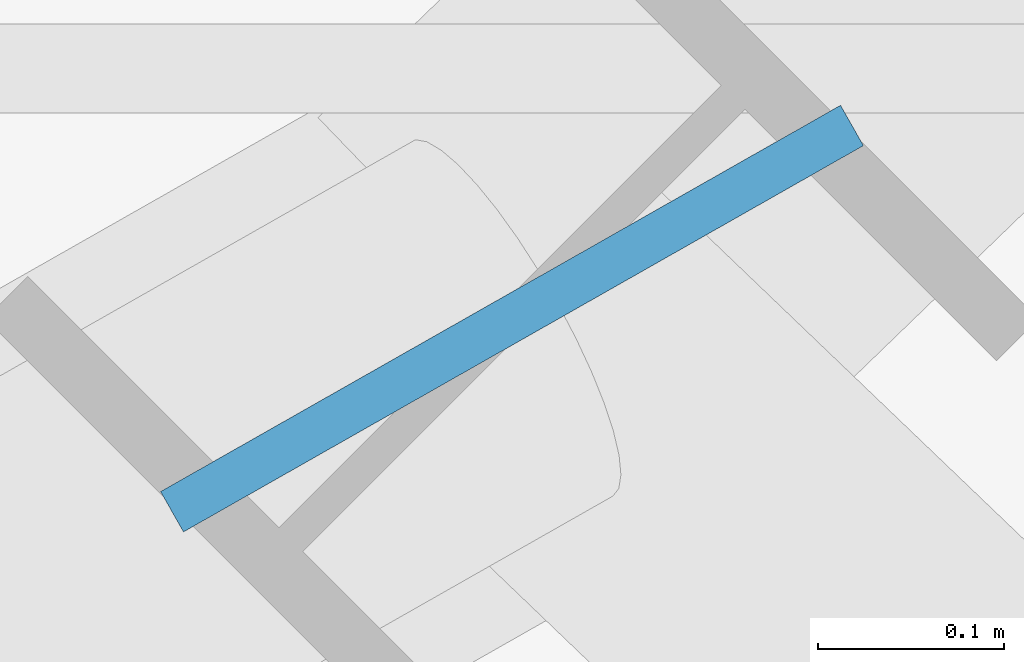
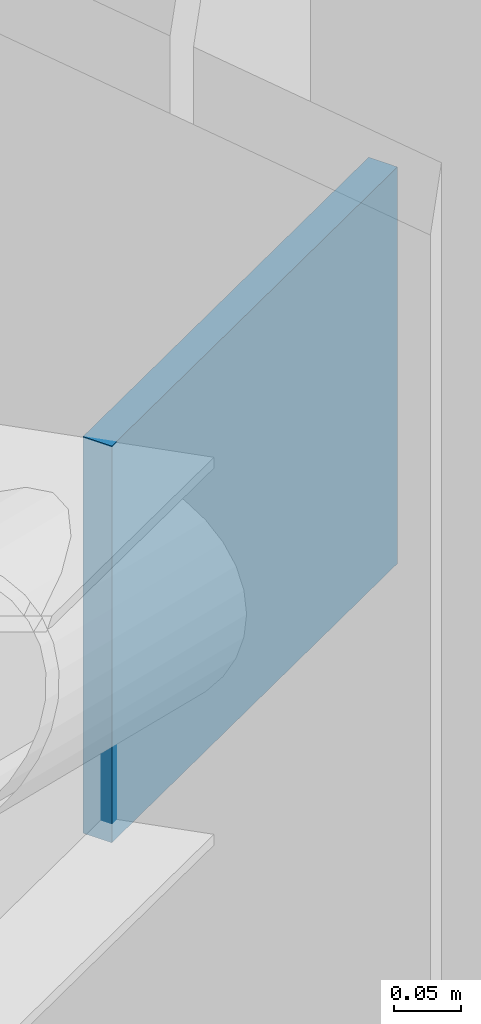
# One storey, part 83 of 123: 1 plate.
"""IFC4 building model written with IfcOpenShell, lengths in metres."""

import ifcopenshell
import ifcopenshell.guid

model = None  # the IFC model being written
_history = None  # IfcOwnerHistory: only IFC2X3 demands one
_inside = {}  # id of a spatial element -> (the spatial element, [elements in it])
_under = {}  # id of a project, library or spatial element -> (it, [spatial elements below it])
_declared = {}  # id of a project -> (the project, [libraries it declares])
_typed = {}  # id of a type object -> (the type object, [elements of that type])
_made_of = {}  # id of a material, layer set ... -> (it, [elements and type objects made of it])


def new_model(schema):
    """Start an empty IFC model of exactly this schema.

    Asked for "IFC4X3", IfcOpenShell would pick the latest addendum, in which some entities
    have other attributes; the version numbers below select the first issue.
    IFC2X3 requires an IfcOwnerHistory on every rooted entity: one is made here for all.
    """
    global model, _history
    if schema == "IFC4X3":
        model = ifcopenshell.file(schema_version=(4, 3, 0, 0))
    else:
        model = ifcopenshell.file(schema=schema)
    _inside.clear()
    _under.clear()
    _declared.clear()
    _typed.clear()
    _made_of.clear()
    _history = None
    if model.schema == "IFC2X3":
        org = make("IfcOrganization", Name="unknown")
        user = make(
            "IfcPersonAndOrganization",
            ThePerson=make("IfcPerson", FamilyName="unknown"),
            TheOrganization=org,
        )
        app = make(
            "IfcApplication",
            ApplicationDeveloper=org,
            Version="unknown",
            ApplicationFullName="unknown",
            ApplicationIdentifier="unknown",
        )
        _history = make(
            "IfcOwnerHistory",
            OwningUser=user,
            OwningApplication=app,
            ChangeAction="ADDED",
            CreationDate=0,
        )
    return model


def make(cls, **values):
    """One entity of the class cls with the attributes given. An attribute that is None is left unset."""
    return model.create_entity(
        cls, **{name: value for name, value in values.items() if value is not None}
    )


def rooted(cls, **values):
    """An entity with a GlobalId (a new one), such as an element, a storey or a relation."""
    return make(cls, GlobalId=ifcopenshell.guid.new(), OwnerHistory=_history, **values)


def si_unit(unit_type, name, prefix=None):
    """IfcSIUnit, for example si_unit("LENGTHUNIT", "METRE", prefix="MILLI")."""
    return make("IfcSIUnit", UnitType=unit_type, Prefix=prefix, Name=name)


def assignment(units):
    """IfcUnitAssignment: the units of a project."""
    return None if units is None else make("IfcUnitAssignment", Units=units)


def point(xyz):
    """IfcCartesianPoint."""
    return None if xyz is None else make("IfcCartesianPoint", Coordinates=xyz)


def direction(xyz):
    """IfcDirection."""
    return None if xyz is None else make("IfcDirection", DirectionRatios=xyz)


def frame(location, z_axis=None, x_axis=None):
    """IfcAxis2Placement3D, a coordinate frame: its origin and axes. An axis left out is left unset."""
    return make(
        "IfcAxis2Placement3D",
        Location=point(location),
        Axis=direction(z_axis),
        RefDirection=direction(x_axis),
    )


def frame_2d(location, x_axis=None):
    """IfcAxis2Placement2D, a coordinate frame in the plane: its origin and x axis."""
    return make(
        "IfcAxis2Placement2D", Location=point(location), RefDirection=direction(x_axis)
    )


def origin():
    """The frame at (0, 0, 0) with its axes left unset."""
    return frame((0.0, 0.0, 0.0))


def origin_2d():
    """The frame at (0, 0) in the plane with its x axis left unset."""
    return frame_2d((0.0, 0.0))


def place(relative_to, where):
    """IfcLocalPlacement: puts the frame where relative to a parent placement (None: the world)."""
    return make(
        "IfcLocalPlacement", PlacementRelTo=relative_to, RelativePlacement=where
    )


def context(
    kind, dimensions, precision=None, world=None, true_north=None, identifier=None
):
    """IfcGeometricRepresentationContext, for example the 3D "Model" context."""
    return make(
        "IfcGeometricRepresentationContext",
        ContextIdentifier=identifier,
        ContextType=kind,
        CoordinateSpaceDimension=dimensions,
        Precision=precision,
        WorldCoordinateSystem=world,
        TrueNorth=true_north,
    )


def subcontext(parent, identifier, kind, view, scale=None):
    """IfcGeometricRepresentationSubContext, for example "Body" below "Model"."""
    return make(
        "IfcGeometricRepresentationSubContext",
        ContextIdentifier=identifier,
        ContextType=kind,
        ParentContext=parent,
        TargetScale=scale,
        TargetView=view,
    )


def project(units=None, contexts=None):
    """IfcProject with its units and contexts."""
    return rooted(
        "IfcProject",
        Name="project",
        RepresentationContexts=contexts,
        UnitsInContext=assignment(units),
    )


def spatial(cls, under=None, at=None, **own):
    """A site, building, storey or space (cls), placed at a placement, below another one or the project."""
    s = rooted(cls, ObjectPlacement=at, **own)
    if under is not None:
        _under.setdefault(under.id(), (under, []))[1].append(s)
    return s


def profile(cls, at=None, kind="AREA", **sizes):
    """A parametric profile (cls). Its sizes go by their IFC names, for example OverallWidth=200.0."""
    return make(cls, ProfileType=kind, Position=at, **sizes)


def rectangle(**sizes):
    """IfcRectangleProfileDef."""
    return profile("IfcRectangleProfileDef", **sizes)


def extrude(swept, where, along, depth):
    """IfcExtrudedAreaSolid: the profile swept, set in the frame where, extruded along a direction by depth."""
    return make(
        "IfcExtrudedAreaSolid",
        SweptArea=swept,
        Position=where,
        ExtrudedDirection=direction(along),
        Depth=depth,
    )


def shape(context_of_items, identifier, shape_type, items):
    """IfcShapeRepresentation: the items that make up one representation, for example the "Body"."""
    return make(
        "IfcShapeRepresentation",
        ContextOfItems=context_of_items,
        RepresentationIdentifier=identifier,
        RepresentationType=shape_type,
        Items=items,
    )


def material(Name=None, Category=None):
    """IfcMaterial."""
    return make("IfcMaterial", Name=Name, Category=Category)


def layer(
    of_material, thickness, ventilated=None, Name=None, Category=None, Priority=None
):
    """IfcMaterialLayer: one layer of a wall or slab, of a material (None: an air gap)."""
    return make(
        "IfcMaterialLayer",
        Material=of_material,
        LayerThickness=thickness,
        IsVentilated=ventilated,
        Name=Name,
        Category=Category,
        Priority=Priority,
    )


def layer_set(layers, Name=None):
    """IfcMaterialLayerSet."""
    return make("IfcMaterialLayerSet", MaterialLayers=layers, LayerSetName=Name)


def made_of(thing, what):
    """Note that an element or type object is made of a material, layer set ...; save() writes the relation."""
    if what is not None:
        _made_of.setdefault(what.id(), (what, []))[1].append(thing)
    return thing


def type_object(cls, material=None, **own):
    """A type object (cls), such as IfcWallType, which elements share."""
    return made_of(rooted(cls, **own), material)


def element(
    cls,
    number,
    at=None,
    inside=None,
    cuts=None,
    type_object=None,
    material=None,
    context=None,
    identifier="Body",
    shape_type=None,
    held_by="IfcProductDefinitionShape",
    body=None,
    shapes=None,
    **own,
):
    """One element of the class cls, such as IfcWall. Its Tag is "e" and its number.

    at: its placement. inside: the storey or other place that contains it. cuts: it is an
    opening in that element (IfcRelVoidsElement). A single representation is given by context,
    identifier, shape_type and body (its items); several are given by shapes. held_by: the class
    of the entity that holds the representations. save() writes the other relations.
    """
    e = rooted(cls, Tag="e%d" % number, ObjectPlacement=at, **own)
    if body is not None:
        shapes = [shape(context, identifier, shape_type, body)]
    if shapes is not None:
        e.Representation = make(held_by, Representations=shapes)
    if inside is not None:
        _inside.setdefault(inside.id(), (inside, []))[1].append(e)
    if cuts is not None:
        rooted(
            "IfcRelVoidsElement", RelatingBuildingElement=cuts, RelatedOpeningElement=e
        )
    if type_object is not None:
        _typed.setdefault(type_object.id(), (type_object, []))[1].append(e)
    return made_of(e, material)


def aggregate(whole, parts):
    """IfcRelAggregates: a whole, such as a stair, and the parts it consists of."""
    return rooted("IfcRelAggregates", RelatingObject=whole, RelatedObjects=parts)


def save(model, path):
    """Write the relations noted so far, then the file.

    IfcRelAggregates (storeys below a building ...), IfcRelContainedInSpatialStructure (elements
    in a storey), IfcRelDefinesByType, IfcRelAssociatesMaterial and IfcRelDeclares: one each for
    every whole, place, type object, material and project.
    """
    for whole, parts in _under.values():
        aggregate(whole, parts)
    for where, things in _inside.values():
        rooted(
            "IfcRelContainedInSpatialStructure",
            RelatedElements=things,
            RelatingStructure=where,
        )
    for kind, things in _typed.values():
        rooted("IfcRelDefinesByType", RelatedObjects=things, RelatingType=kind)
    for what, things in _made_of.values():
        rooted("IfcRelAssociatesMaterial", RelatedObjects=things, RelatingMaterial=what)
    for by, libraries in _declared.values():
        rooted("IfcRelDeclares", RelatingContext=by, RelatedDefinitions=libraries)
    model.write(path)


model = new_model("IFC4")

# Units and contexts
model_context = context("Model", 3, precision=1e-05, world=origin(), true_north=direction((0.0, 1.0)))
body_context = subcontext(model_context, "Body", "Model", "MODEL_VIEW")
ifc_project = project(units=[si_unit("LENGTHUNIT", "METRE"), si_unit("AREAUNIT", "SQUARE_METRE"), si_unit("VOLUMEUNIT", "CUBIC_METRE"), si_unit("PLANEANGLEUNIT", "RADIAN"), si_unit("MASSUNIT", "GRAM", prefix="KILO")], contexts=[model_context])

# Site, building, storey
site_placement = place(None, origin())
site = spatial("IfcSite", under=ifc_project, at=site_placement, CompositionType="ELEMENT")
building_placement = place(site_placement, origin())
building = spatial("IfcBuilding", under=site, at=building_placement, Name="Kalgoora Escarpment Arena", CompositionType="ELEMENT")
storey_placement = place(building_placement, frame((0.0, 0.0, 9.89990234375)))
storey = spatial("IfcBuildingStorey", under=building, at=storey_placement, Name="L02", CompositionType="ELEMENT", Elevation=9.89990234375)

# Plate
ifc_material = material(Name="Structural steel Grade 350 (350 MPa)", Category="steel")
ifc_layer = layer(ifc_material, 0.02490234375)
ifc_layer_set = layer_set([ifc_layer], Name="PLT-GUSSET-25")
plate_type = type_object("IfcPlateType", Name="PLT-GUSSET-25", PredefinedType="USERDEFINED", material=ifc_layer_set)
plate_placement = place(storey_placement, frame((130.583740234375, 35.7158203125, 2.33984375), z_axis=(0.0, 0.0, 1.0), x_axis=(-0.869494929505, -0.493941866584, 0.0)))
element("IfcPlate", 1, at=plate_placement, inside=storey, type_object=plate_type, Name="Brace and post end gusset plate 024", ObjectType="FLANGE PLATE", PredefinedType="USERDEFINED", context=body_context, shape_type="SweptSolid", body=[
    extrude(rectangle(XDim=0.419921875, YDim=0.02490234375, at=origin_2d()), origin(), (0.0, 0.0, 1.0), 0.360107421875),
])

save(model, "model.ifc")
